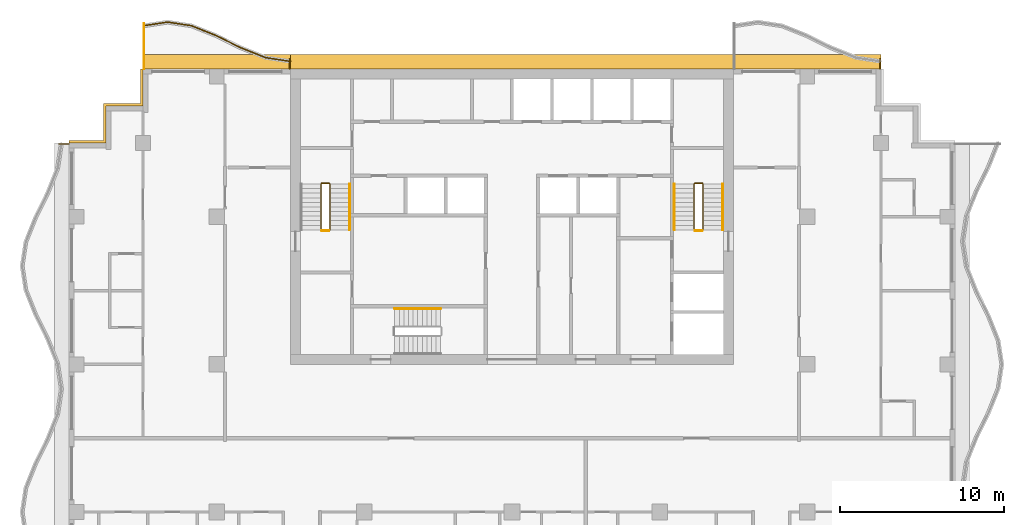
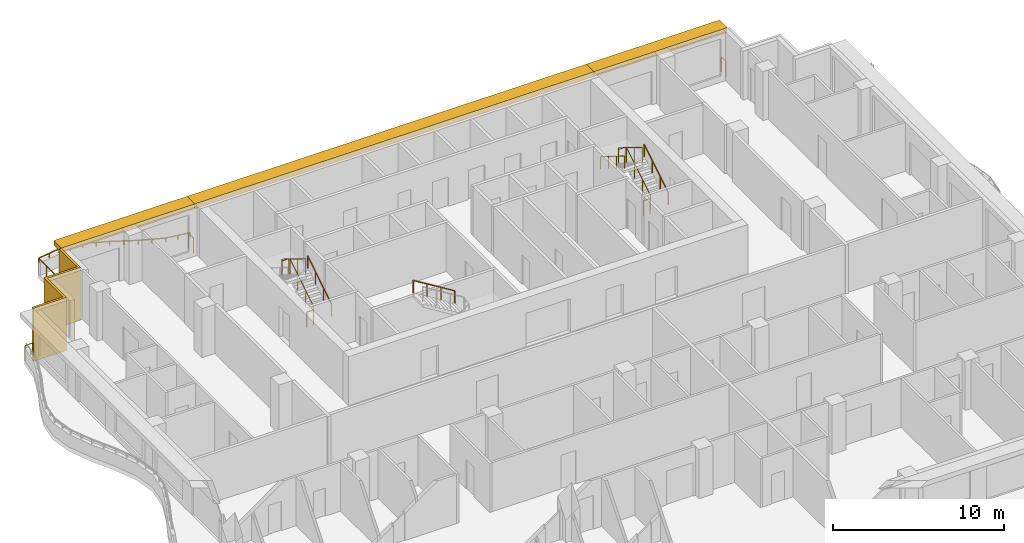
# One storey, part 11 of 12: 13 railings, 4 shading devices.
"""IFC4 building model written with IfcOpenShell, lengths in metres."""

from ifc_helpers import new_model, si_unit, direction, frame, origin, origin_2d, place, context, subcontext, project, spatial, polyline, rectangle, circle, outline, extrude, material, layer, layer_set, type_object, element, save


model = new_model("IFC4")

# Units and contexts
model_context = context("Model", 3, precision=1e-05, world=origin(), true_north=direction((0.0, 1.0)))
body_context = subcontext(model_context, "Body", "Model", "MODEL_VIEW")
ifc_project = project(units=[si_unit("LENGTHUNIT", "METRE"), si_unit("AREAUNIT", "SQUARE_METRE"), si_unit("VOLUMEUNIT", "CUBIC_METRE"), si_unit("PLANEANGLEUNIT", "RADIAN"), si_unit("MASSUNIT", "GRAM", prefix="KILO")], contexts=[model_context])

# Site, building, storey
site_placement = place(None, origin())
site = spatial("IfcSite", under=ifc_project, at=site_placement, CompositionType="ELEMENT")
building_placement = place(site_placement, origin())
building = spatial("IfcBuilding", under=site, at=building_placement, Name="Orbiselva Terraces", CompositionType="ELEMENT")
storey_placement = place(building_placement, frame((0.0, 0.0, 265.4)))
storey = spatial("IfcBuildingStorey", under=building, at=storey_placement, Name="L67", CompositionType="ELEMENT", Elevation=265.4)

# Railings
ifc_material_1 = material(Name="Stainless steel", Category="steel")
railing_type_1 = type_object("IfcRailingType", Name="CORE-GUARD-1100", PredefinedType="GUARDRAIL", material=ifc_material_1)
railing_1_placement = place(storey_placement, frame((-11.1, 12.7, 0.172727)))
element("IfcRailing", 1, at=railing_1_placement, inside=storey, type_object=railing_type_1, Name="L67 S1 stair guard 1", PredefinedType="GUARDRAIL", context=body_context, shape_type="SweptSolid", body=[
    extrude(circle(Radius=0.024, at=origin_2d()), frame((0.0, 0.0, 1.081), z_axis=(0.0, 0.851088519012, 0.52502222125), x_axis=(-1.0, 0.0, 0.0)), (0.0, 0.0, 1.0), 3.289905),
    extrude(circle(Radius=0.024, at=origin_2d()), frame((0.0, 2.8, 2.808273), z_axis=(-0.707106781187, 0.707106781187, 0.0), x_axis=(-0.707106781187, -0.707106781187, 0.0)), (0.0, 0.0, 1.0), 0.070711),
    extrude(circle(Radius=0.024, at=origin_2d()), frame((-0.05, 2.85, 2.808273), z_axis=(-1.0, 0.0, 0.0), x_axis=(0.0, -1.0, 0.0)), (0.0, 0.0, 1.0), 0.45),
    extrude(circle(Radius=0.024, at=origin_2d()), frame((-0.5, 2.85, 2.808273), z_axis=(-0.267894925557, -0.267894925557, 0.925453736133), x_axis=(0.707106781187, -0.707106781187, 0.0)), (0.0, 0.0, 1.0), 0.18664),
    extrude(circle(Radius=0.024, at=origin_2d()), frame((-0.55, 2.8, 2.981), z_axis=(0.0, -0.851088519012, 0.52502222125), x_axis=(1.0, 0.0, 0.0)), (0.0, 0.0, 1.0), 3.289905),
    extrude(circle(Radius=0.021, at=origin_2d()), origin(), (0.0, 0.0, 1.0), 1.057),
    extrude(circle(Radius=0.021, at=origin_2d()), frame((0.0, 0.933333, 0.575758)), (0.0, 0.0, 1.0), 1.057),
    extrude(circle(Radius=0.021, at=origin_2d()), frame((0.0, 1.866667, 1.151515)), (0.0, 0.0, 1.0), 1.057),
    extrude(circle(Radius=0.021, at=origin_2d()), frame((0.0, 2.8, 1.727273)), (0.0, 0.0, 1.0), 1.057),
    extrude(circle(Radius=0.021, at=origin_2d()), frame((-0.05, 2.85, 1.727273)), (0.0, 0.0, 1.0), 1.057),
    extrude(circle(Radius=0.021, at=origin_2d()), frame((-0.5, 2.85, 1.727273)), (0.0, 0.0, 1.0), 1.057),
    extrude(circle(Radius=0.021, at=origin_2d()), frame((-0.55, 2.8, 1.9)), (0.0, 0.0, 1.0), 1.057),
    extrude(circle(Radius=0.021, at=origin_2d()), frame((-0.55, 1.866667, 2.475758)), (0.0, 0.0, 1.0), 1.057),
    extrude(circle(Radius=0.021, at=origin_2d()), frame((-0.55, 0.933333, 3.051515)), (0.0, 0.0, 1.0), 1.057),
    extrude(circle(Radius=0.021, at=origin_2d()), frame((-0.55, 0.0, 3.627273)), (0.0, 0.0, 1.0), 1.057),
])
railing_2_placement = place(storey_placement, frame((-11.15, 12.65, 0.0)))
element("IfcRailing", 2, at=railing_2_placement, inside=storey, type_object=railing_type_1, Name="L67 S1 stair guard 2", PredefinedType="GUARDRAIL", context=body_context, shape_type="SweptSolid", body=[
    extrude(circle(Radius=0.024, at=origin_2d()), frame((0.0, 0.0, 1.081), z_axis=(-1.0, 0.0, 0.0), x_axis=(0.0, -1.0, 0.0)), (0.0, 0.0, 1.0), 0.45),
    extrude(circle(Radius=0.021, at=origin_2d()), origin(), (0.0, 0.0, 1.0), 1.057),
    extrude(circle(Radius=0.021, at=origin_2d()), frame((-0.45, 0.0, 0.0)), (0.0, 0.0, 1.0), 1.057),
])
railing_3_placement = place(storey_placement, frame((11.65, 12.7, 0.172727)))
element("IfcRailing", 3, at=railing_3_placement, inside=storey, type_object=railing_type_1, Name="L67 S2 stair guard 1", PredefinedType="GUARDRAIL", context=body_context, shape_type="SweptSolid", body=[
    extrude(circle(Radius=0.024, at=origin_2d()), frame((0.0, 0.0, 1.081), z_axis=(0.0, 0.851088519012, 0.52502222125), x_axis=(-1.0, 0.0, 0.0)), (0.0, 0.0, 1.0), 3.289905),
    extrude(circle(Radius=0.024, at=origin_2d()), frame((0.0, 2.8, 2.808273), z_axis=(-0.707106781187, 0.707106781187, 0.0), x_axis=(-0.707106781187, -0.707106781187, 0.0)), (0.0, 0.0, 1.0), 0.070711),
    extrude(circle(Radius=0.024, at=origin_2d()), frame((-0.05, 2.85, 2.808273), z_axis=(-1.0, 0.0, 0.0), x_axis=(0.0, -1.0, 0.0)), (0.0, 0.0, 1.0), 0.45),
    extrude(circle(Radius=0.024, at=origin_2d()), frame((-0.5, 2.85, 2.808273), z_axis=(-0.267894925557, -0.267894925557, 0.925453736133), x_axis=(0.707106781187, -0.707106781187, 0.0)), (0.0, 0.0, 1.0), 0.18664),
    extrude(circle(Radius=0.024, at=origin_2d()), frame((-0.55, 2.8, 2.981), z_axis=(0.0, -0.851088519012, 0.52502222125), x_axis=(1.0, 0.0, 0.0)), (0.0, 0.0, 1.0), 3.289905),
    extrude(circle(Radius=0.021, at=origin_2d()), origin(), (0.0, 0.0, 1.0), 1.057),
    extrude(circle(Radius=0.021, at=origin_2d()), frame((0.0, 0.933333, 0.575758)), (0.0, 0.0, 1.0), 1.057),
    extrude(circle(Radius=0.021, at=origin_2d()), frame((0.0, 1.866667, 1.151515)), (0.0, 0.0, 1.0), 1.057),
    extrude(circle(Radius=0.021, at=origin_2d()), frame((0.0, 2.8, 1.727273)), (0.0, 0.0, 1.0), 1.057),
    extrude(circle(Radius=0.021, at=origin_2d()), frame((-0.05, 2.85, 1.727273)), (0.0, 0.0, 1.0), 1.057),
    extrude(circle(Radius=0.021, at=origin_2d()), frame((-0.5, 2.85, 1.727273)), (0.0, 0.0, 1.0), 1.057),
    extrude(circle(Radius=0.021, at=origin_2d()), frame((-0.55, 2.8, 1.9)), (0.0, 0.0, 1.0), 1.057),
    extrude(circle(Radius=0.021, at=origin_2d()), frame((-0.55, 1.866667, 2.475758)), (0.0, 0.0, 1.0), 1.057),
    extrude(circle(Radius=0.021, at=origin_2d()), frame((-0.55, 0.933333, 3.051515)), (0.0, 0.0, 1.0), 1.057),
    extrude(circle(Radius=0.021, at=origin_2d()), frame((-0.55, 0.0, 3.627273)), (0.0, 0.0, 1.0), 1.057),
])
railing_4_placement = place(storey_placement, frame((11.6, 12.65, 0.0)))
element("IfcRailing", 4, at=railing_4_placement, inside=storey, type_object=railing_type_1, Name="L67 S2 stair guard 2", PredefinedType="GUARDRAIL", context=body_context, shape_type="SweptSolid", body=[
    extrude(circle(Radius=0.024, at=origin_2d()), frame((0.0, 0.0, 1.081), z_axis=(-1.0, 0.0, 0.0), x_axis=(0.0, -1.0, 0.0)), (0.0, 0.0, 1.0), 0.45),
    extrude(circle(Radius=0.021, at=origin_2d()), origin(), (0.0, 0.0, 1.0), 1.057),
    extrude(circle(Radius=0.021, at=origin_2d()), frame((-0.45, 0.0, 0.0)), (0.0, 0.0, 1.0), 1.057),
])
railing_type_2 = type_object("IfcRailingType", Name="CORE-HANDRAIL-900", PredefinedType="HANDRAIL", material=ifc_material_1)
for number, where, name in (
    (5, (-9.9, 12.7, 0.172727), "L67 S1 stair handrail 1"),
    (6, (12.85, 12.7, 0.172727), "L67 S2 stair handrail 1"),
):
    element("IfcRailing", number, at=place(storey_placement, frame(where)), inside=storey, type_object=railing_type_2, Name=name, PredefinedType="HANDRAIL", context=body_context, shape_type="SweptSolid", body=[
        extrude(circle(Radius=0.024, at=origin_2d()), frame((0.0, 0.0, 0.876), z_axis=(0.0, 0.851088519012, 0.52502222125), x_axis=(-1.0, 0.0, 0.0)), (0.0, 0.0, 1.0), 3.289905),
        extrude(circle(Radius=0.021, at=origin_2d()), origin(), (0.0, 0.0, 1.0), 0.852),
        extrude(circle(Radius=0.021, at=origin_2d()), frame((0.0, 0.933333, 0.575758)), (0.0, 0.0, 1.0), 0.852),
        extrude(circle(Radius=0.021, at=origin_2d()), frame((0.0, 1.866667, 1.151515)), (0.0, 0.0, 1.0), 0.852),
        extrude(circle(Radius=0.021, at=origin_2d()), frame((0.0, 2.8, 1.727273)), (0.0, 0.0, 1.0), 0.852),
    ])
railing_5_placement = place(storey_placement, frame((9.9, 15.5, 2.072727)))
element("IfcRailing", 7, at=railing_5_placement, inside=storey, type_object=railing_type_2, Name="L67 S2 stair handrail 2", PredefinedType="HANDRAIL", context=body_context, shape_type="SweptSolid", body=[
    extrude(circle(Radius=0.024, at=origin_2d()), frame((0.0, 0.0, 0.876), z_axis=(0.0, -0.851088519012, 0.52502222125), x_axis=(1.0, 0.0, 0.0)), (0.0, 0.0, 1.0), 3.289905),
    extrude(circle(Radius=0.021, at=origin_2d()), origin(), (0.0, 0.0, 1.0), 0.852),
    extrude(circle(Radius=0.021, at=origin_2d()), frame((0.0, -0.933333, 0.575758)), (0.0, 0.0, 1.0), 0.852),
    extrude(circle(Radius=0.021, at=origin_2d()), frame((0.0, -1.866667, 1.151515)), (0.0, 0.0, 1.0), 0.852),
    extrude(circle(Radius=0.021, at=origin_2d()), frame((0.0, -2.8, 1.727273)), (0.0, 0.0, 1.0), 0.852),
])
railing_6_placement = place(storey_placement, frame((-4.35, 7.9, 2.072727)))
element("IfcRailing", 8, at=railing_6_placement, inside=storey, type_object=railing_type_2, Name="L67 S3 stair handrail 2", PredefinedType="HANDRAIL", context=body_context, shape_type="SweptSolid", body=[
    extrude(circle(Radius=0.024, at=origin_2d()), frame((0.0, 0.0, 0.876), z_axis=(-0.851088519012, 0.0, 0.52502222125), x_axis=(0.0, -1.0, 0.0)), (0.0, 0.0, 1.0), 3.289905),
    extrude(circle(Radius=0.021, at=origin_2d()), origin(), (0.0, 0.0, 1.0), 0.852),
    extrude(circle(Radius=0.021, at=origin_2d()), frame((-0.933333, 0.0, 0.575758)), (0.0, 0.0, 1.0), 0.852),
    extrude(circle(Radius=0.021, at=origin_2d()), frame((-1.866667, 0.0, 1.151515)), (0.0, 0.0, 1.0), 0.852),
    extrude(circle(Radius=0.021, at=origin_2d()), frame((-2.8, 0.0, 1.727273)), (0.0, 0.0, 1.0), 0.852),
])
ifc_material_2 = material(Name="Bonded two-ply safety glass balustrade, stainless steel posts", Category="steel")
railing_type_3 = type_object("IfcRailingType", Name="ENV-BALUSTRADE-1200", PredefinedType="BALUSTRADE", material=ifc_material_2)
railing_7_placement = place(storey_placement, frame((-13.518879, 22.976434, 0.9)))
element("IfcRailing", 9, at=railing_7_placement, inside=storey, type_object=railing_type_3, Name="Balcony balustrade L67 NW", PredefinedType="BALUSTRADE", context=body_context, shape_type="SweptSolid", body=[
    extrude(outline(polyline([(0.028868, 0.0), (0.014434, 0.025), (-0.014434, 0.025), (-0.028868, 0.0), (-0.014434, -0.025), (0.014434, -0.025), (0.028868, 0.0)])), frame((0.0, 0.0, 0.275), z_axis=(-0.988528588529, 0.151033869252, 0.0), x_axis=(-0.151033869252, -0.988528588529, 0.0)), (0.0, 0.0, 1.0), 1.531776),
    extrude(outline(polyline([(0.028868, 0.0), (0.014434, 0.025), (-0.014434, 0.025), (-0.028868, 0.0), (-0.014434, -0.025), (0.014434, -0.025), (0.028868, 0.0)])), frame((-1.514204, 0.23135, 0.275), z_axis=(-0.92847681744, 0.371390359967, 0.0), x_axis=(-0.371390359967, -0.92847681744, 0.0)), (0.0, 0.0, 1.0), 1.634838),
    extrude(outline(polyline([(0.028868, 0.0), (0.014434, 0.025), (-0.014434, 0.025), (-0.028868, 0.0), (-0.014434, -0.025), (0.014434, -0.025), (0.028868, 0.0)])), frame((-3.032113, 0.838513, 0.275), z_axis=(-0.896416672454, 0.443212307306, 0.0), x_axis=(-0.443212307306, -0.896416672454, 0.0)), (0.0, 0.0, 1.0), 1.673329),
    extrude(outline(polyline([(0.028868, 0.0), (0.014434, 0.025), (-0.014434, 0.025), (-0.028868, 0.0), (-0.014434, -0.025), (0.014434, -0.025), (0.028868, 0.0)])), frame((-4.532113, 1.580153, 0.275), z_axis=(-0.928476561272, 0.371391000387, 0.0), x_axis=(-0.371391000387, -0.928476561272, 0.0)), (0.0, 0.0, 1.0), 1.596261),
    extrude(outline(polyline([(0.028868, 0.0), (0.014434, 0.025), (-0.014434, 0.025), (-0.028868, 0.0), (-0.014434, -0.025), (0.014434, -0.025), (0.028868, 0.0)])), frame((-6.014204, 2.17299, 0.275), z_axis=(-0.988528606898, 0.151033749027, 0.0), x_axis=(-0.151033749027, -0.988528606898, 0.0)), (0.0, 0.0, 1.0), 1.48394),
    extrude(outline(polyline([(0.028868, 0.0), (0.014434, 0.025), (-0.014434, 0.025), (-0.028868, 0.0), (-0.014434, -0.025), (0.014434, -0.025), (0.028868, 0.0)])), frame((-7.481121, 2.397115, 0.275), z_axis=(-0.988528624669, -0.151033632714, 0.0), x_axis=(0.151033632714, -0.988528624669, 0.0)), (0.0, 0.0, 1.0), 1.498309),
    extrude(rectangle(XDim=0.05, YDim=0.05, at=origin_2d()), origin(), (0.0, 0.0, 1.0), 0.25),
    extrude(rectangle(XDim=0.05, YDim=0.05, at=origin_2d()), frame((-0.757102, 0.115675, 0.0)), (0.0, 0.0, 1.0), 0.25),
    extrude(rectangle(XDim=0.05, YDim=0.05, at=origin_2d()), frame((-1.514204, 0.23135, 0.0)), (0.0, 0.0, 1.0), 0.25),
    extrude(rectangle(XDim=0.05, YDim=0.05, at=origin_2d()), frame((-2.273158, 0.534931, 0.0)), (0.0, 0.0, 1.0), 0.25),
    extrude(rectangle(XDim=0.05, YDim=0.05, at=origin_2d()), frame((-3.032113, 0.838513, 0.0)), (0.0, 0.0, 1.0), 0.25),
    extrude(rectangle(XDim=0.05, YDim=0.05, at=origin_2d()), frame((-3.782113, 1.209333, 0.0)), (0.0, 0.0, 1.0), 0.25),
    extrude(rectangle(XDim=0.05, YDim=0.05, at=origin_2d()), frame((-4.532113, 1.580153, 0.0)), (0.0, 0.0, 1.0), 0.25),
    extrude(rectangle(XDim=0.05, YDim=0.05, at=origin_2d()), frame((-5.273159, 1.876571, 0.0)), (0.0, 0.0, 1.0), 0.25),
    extrude(rectangle(XDim=0.05, YDim=0.05, at=origin_2d()), frame((-6.014204, 2.17299, 0.0)), (0.0, 0.0, 1.0), 0.25),
    extrude(rectangle(XDim=0.05, YDim=0.05, at=origin_2d()), frame((-6.747663, 2.285052, 0.0)), (0.0, 0.0, 1.0), 0.25),
    extrude(rectangle(XDim=0.05, YDim=0.05, at=origin_2d()), frame((-7.481121, 2.397115, 0.0)), (0.0, 0.0, 1.0), 0.25),
    extrude(rectangle(XDim=0.05, YDim=0.05, at=origin_2d()), frame((-8.221682, 2.283967, 0.0)), (0.0, 0.0, 1.0), 0.25),
    extrude(rectangle(XDim=0.05, YDim=0.05, at=origin_2d()), frame((-8.962242, 2.17082, 0.0)), (0.0, 0.0, 1.0), 0.25),
])
ifc_material_3 = material(Name="Stainless steel rail and posts", Category="steel")
railing_type_4 = type_object("IfcRailingType", Name="ENV-GUARD-1105", PredefinedType="BALUSTRADE", material=ifc_material_3)
for number, where, name in (
    (10, (22.44, 23.100379, 0.0), "Balcony end guard L67 NE"),
    (11, (-13.56, 23.100379, 0.0), "Balcony end guard L67 NW"),
):
    element("IfcRailing", number, at=place(storey_placement, frame(where)), inside=storey, type_object=railing_type_4, Name=name, PredefinedType="BALUSTRADE", context=body_context, shape_type="SweptSolid", body=[
        extrude(outline(polyline([(0.028868, 0.0), (0.014434, 0.025), (-0.014434, 0.025), (-0.028868, 0.0), (-0.014434, -0.025), (0.014434, -0.025), (0.028868, 0.0)])), frame((0.0, 0.0, 1.08), z_axis=(0.0, -1.0, 0.0), x_axis=(1.0, 0.0, 0.0)), (0.0, 0.0, 1.0), 0.575379),
        extrude(rectangle(XDim=0.05, YDim=0.05, at=origin_2d()), origin(), (0.0, 0.0, 1.0), 1.055),
        extrude(rectangle(XDim=0.05, YDim=0.05, at=origin_2d()), frame((0.0, -0.575379, 0.0)), (0.0, 0.0, 1.0), 1.055),
    ])
railing_8_placement = place(storey_placement, frame((-22.44, 25.288239, 0.0)))
element("IfcRailing", 12, at=railing_8_placement, inside=storey, type_object=railing_type_4, Name="Balcony end guard L67 NW", PredefinedType="BALUSTRADE", context=body_context, shape_type="SweptSolid", body=[
    extrude(outline(polyline([(0.028868, 0.0), (0.014434, 0.025), (-0.014434, 0.025), (-0.028868, 0.0), (-0.014434, -0.025), (0.014434, -0.025), (0.028868, 0.0)])), frame((0.0, 0.0, 1.08), z_axis=(0.0, -1.0, 0.0), x_axis=(1.0, 0.0, 0.0)), (0.0, 0.0, 1.0), 2.763239),
    extrude(rectangle(XDim=0.05, YDim=0.05, at=origin_2d()), origin(), (0.0, 0.0, 1.0), 1.055),
    extrude(rectangle(XDim=0.05, YDim=0.05, at=origin_2d()), frame((0.0, -0.92108, 0.0)), (0.0, 0.0, 1.0), 1.055),
    extrude(rectangle(XDim=0.05, YDim=0.05, at=origin_2d()), frame((0.0, -1.842159, 0.0)), (0.0, 0.0, 1.0), 1.055),
    extrude(rectangle(XDim=0.05, YDim=0.05, at=origin_2d()), frame((0.0, -2.763239, 0.0)), (0.0, 0.0, 1.0), 1.055),
])
railing_9_placement = place(storey_placement, frame((-27.600379, 17.94, 0.0)))
element("IfcRailing", 13, at=railing_9_placement, inside=storey, type_object=railing_type_4, Name="Balcony end guard L67 W", PredefinedType="BALUSTRADE", context=body_context, shape_type="SweptSolid", body=[
    extrude(outline(polyline([(0.028868, 0.0), (0.014434, 0.025), (-0.014434, 0.025), (-0.028868, 0.0), (-0.014434, -0.025), (0.014434, -0.025), (0.028868, 0.0)])), frame((0.0, 0.0, 1.08), z_axis=(1.0, 0.0, 0.0), x_axis=(0.0, 1.0, 0.0)), (0.0, 0.0, 1.0), 0.575379),
    extrude(rectangle(XDim=0.05, YDim=0.05, at=origin_2d()), origin(), (0.0, 0.0, 1.0), 1.055),
    extrude(rectangle(XDim=0.05, YDim=0.05, at=origin_2d()), frame((0.575379, 0.0, 0.0)), (0.0, 0.0, 1.0), 1.055),
])

# Shading devices
ifc_material_4 = material(Name="Terracotta louvre screen", Category="masonry")
ifc_layer_1 = layer(ifc_material_4, 0.15)
ifc_layer_set_1 = layer_set([ifc_layer_1], Name="Terracotta louvre screen")
shading_device_type_1 = type_object("IfcShadingDeviceType", Name="ENV-SCREEN-150", PredefinedType="USERDEFINED", material=ifc_layer_set_1)
shading_device_1_placement = place(storey_placement, frame((0.0, 0.0, -0.3)))
element("IfcShadingDevice", 14, at=shading_device_1_placement, inside=storey, type_object=shading_device_type_1, Name="Louvre screen L67 NW", ObjectType="SCREEN", PredefinedType="USERDEFINED", context=body_context, shape_type="SweptSolid", body=[
    extrude(outline(polyline([(-22.65, 22.5), (-22.65, 20.4), (-24.9, 20.4), (-24.9, 18.15), (-27.0, 18.15), (-27.0, 18.0), (-24.75, 18.0), (-24.75, 20.25), (-22.5, 20.25), (-22.5, 22.5), (-22.65, 22.5)])), origin(), (0.0, 0.0, 1.0), 3.8),
])
ifc_material_5 = material(Name="Terracotta baguette sunshade", Category="masonry")
ifc_layer_2 = layer(ifc_material_5, 0.35)
ifc_layer_set_2 = layer_set([ifc_layer_2], Name="Terracotta baguette sunshade")
shading_device_type_2 = type_object("IfcShadingDeviceType", Name="ENV-SUNSHADE-900x350", PredefinedType="USERDEFINED", material=ifc_layer_set_2)
shading_device_2_placement = place(storey_placement, frame((0.0, 0.0, 3.15)))
element("IfcShadingDevice", 15, at=shading_device_2_placement, inside=storey, type_object=shading_device_type_2, Name="Sunshade band L67 NE", ObjectType="SUNSHADE", PredefinedType="USERDEFINED", context=body_context, shape_type="SweptSolid", body=[
    extrude(outline(polyline([(22.5, 23.4), (13.5, 23.4), (13.5, 22.5), (22.5, 22.5), (22.5, 23.4)])), origin(), (0.0, 0.0, 1.0), 0.35),
])
shading_device_3_placement = place(storey_placement, frame((0.0, 0.0, 3.15)))
element("IfcShadingDevice", 16, at=shading_device_3_placement, inside=storey, type_object=shading_device_type_2, Name="Sunshade band L67 CORE NORTH", ObjectType="SUNSHADE", PredefinedType="USERDEFINED", context=body_context, shape_type="SweptSolid", body=[
    extrude(outline(polyline([(13.5, 23.4), (-13.5, 23.4), (-13.5, 22.5), (13.5, 22.5), (13.5, 23.4)])), origin(), (0.0, 0.0, 1.0), 0.35),
])
shading_device_4_placement = place(storey_placement, frame((0.0, 0.0, 3.15)))
element("IfcShadingDevice", 17, at=shading_device_4_placement, inside=storey, type_object=shading_device_type_2, Name="Sunshade band L67 NW", ObjectType="SUNSHADE", PredefinedType="USERDEFINED", context=body_context, shape_type="SweptSolid", body=[
    extrude(outline(polyline([(-13.5, 23.4), (-22.5, 23.4), (-22.5, 22.5), (-13.5, 22.5), (-13.5, 23.4)])), origin(), (0.0, 0.0, 1.0), 0.35),
])

save(model, "model.ifc")
